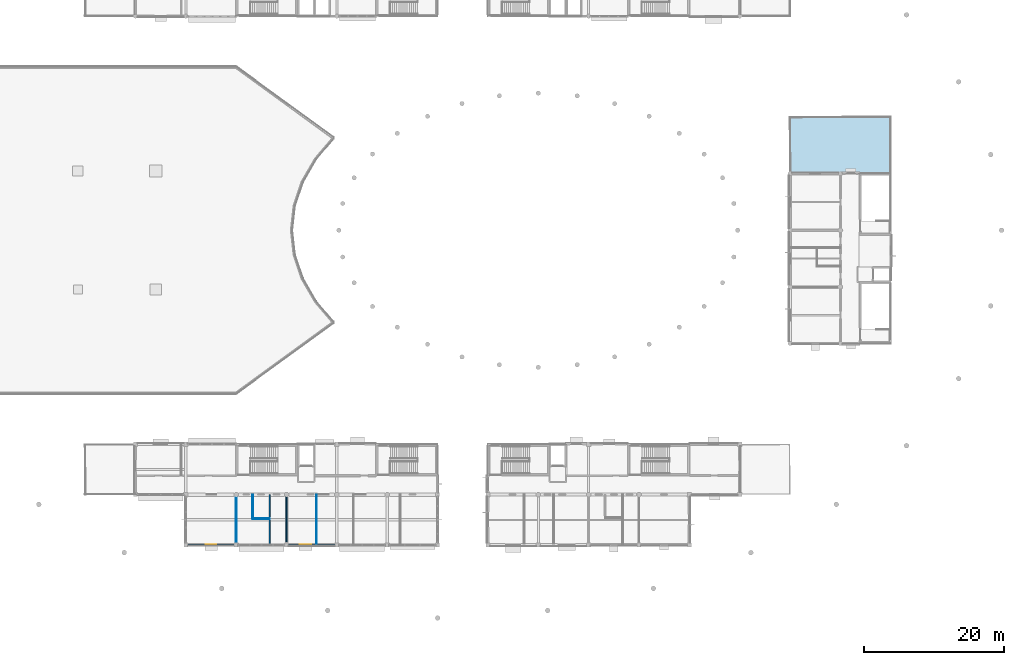
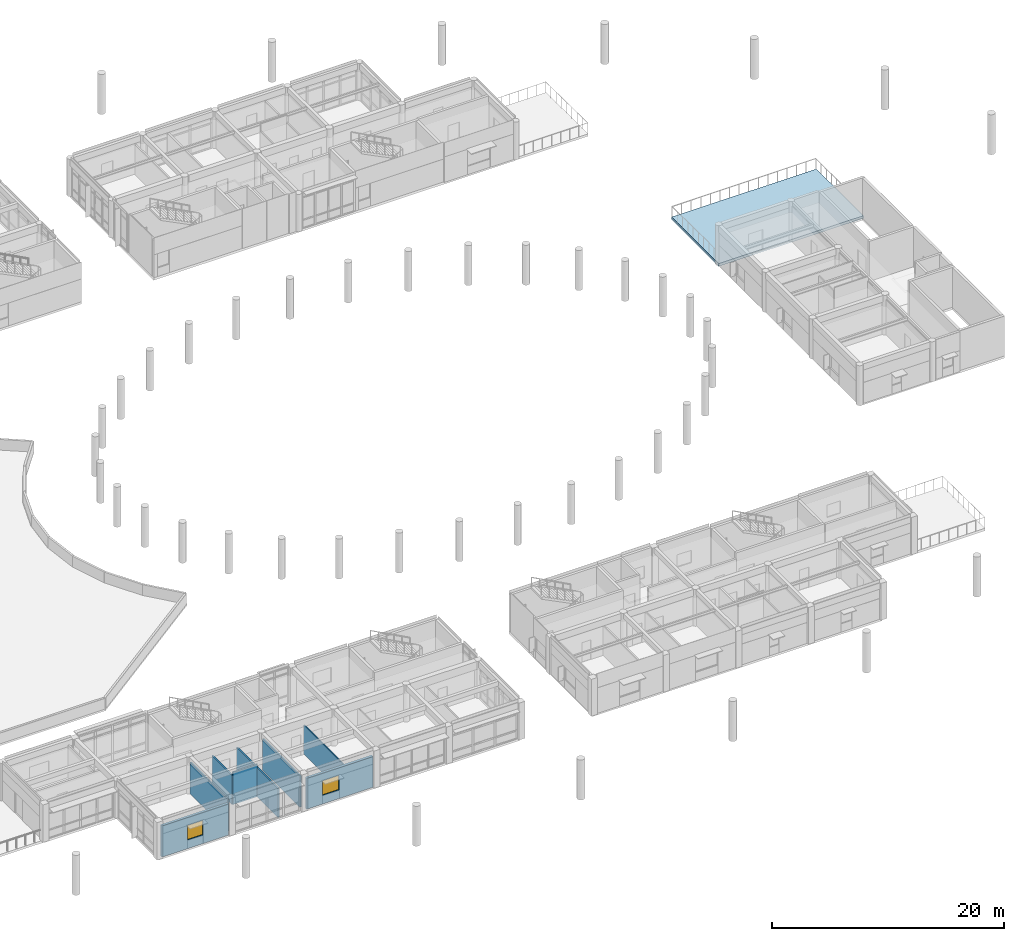
# One storey, part 21 of 55: 8 walls, 2 windows, 1 slab, 2 openings.
"""IFC4 building model written with IfcOpenShell, lengths in metres."""

from ifc_helpers import new_model, si_unit, direction, frame, frame_2d, origin, place, context, subcontext, project, spatial, polyline, rectangle, outline, extrude, material, layer, layer_set, type_object, element, fill, save


model = new_model("IFC4")

# Units and contexts
model_context = context("Model", 3, precision=1e-05, world=origin(), true_north=direction((0.0, 1.0)))
body_context = subcontext(model_context, "Body", "Model", "MODEL_VIEW")
ifc_project = project(units=[si_unit("LENGTHUNIT", "METRE"), si_unit("AREAUNIT", "SQUARE_METRE"), si_unit("VOLUMEUNIT", "CUBIC_METRE"), si_unit("PLANEANGLEUNIT", "RADIAN"), si_unit("MASSUNIT", "GRAM", prefix="KILO")], contexts=[model_context])

# Site, building, storey
site_placement = place(None, origin())
site = spatial("IfcSite", under=ifc_project, at=site_placement, CompositionType="ELEMENT")
building_placement = place(site_placement, origin())
building = spatial("IfcBuilding", under=site, at=building_placement, Name="Namkhue Oval Health Centre", CompositionType="ELEMENT")
storey_placement = place(building_placement, frame((0.0, 0.0, 9.60009765625)))
storey = spatial("IfcBuildingStorey", under=building, at=storey_placement, Name="L02", CompositionType="ELEMENT", Elevation=9.60009765625)

# Slab
ifc_material_1 = material(Name="Reinforced concrete C30/37 (TCVN B35)", Category="concrete")
ifc_layer_1 = layer(ifc_material_1, 0.281982421875)
ifc_layer_set_1 = layer_set([ifc_layer_1], Name="Reinforced concrete C30/37 (TCVN B35)")
slab_type = type_object("IfcSlabType", Name="EXTERIOR TERRACE SLAB 282", PredefinedType="FLOOR", material=ifc_layer_set_1)
slab_placement = place(storey_placement, frame((0.0, 0.0, -0.281982421875)))
element("IfcSlab", 1, at=slab_placement, inside=storey, type_object=slab_type, Name="Volume V6 L02 Exterior Roof Terrace Slab", PredefinedType="FLOOR", context=body_context, shape_type="SweptSolid", body=[
    extrude(outline(polyline([(136.800048828125, 67.5), (151.199951171875, 67.5), (151.199951171875, 75.60009765625), (136.800048828125, 75.60009765625), (136.800048828125, 67.5)])), origin(), (0.0, 0.0, 1.0), 0.281982421875),
])

# Wall, opening, window
ifc_material_2 = material(Name="Autoclaved aerated concrete blockwork M7.5", Category="masonry")
ifc_layer_2 = layer(ifc_material_2, 0.239990234375)
ifc_layer_set_2 = layer_set([ifc_layer_2], Name="Autoclaved aerated concrete blockwork M7.5")
wall_type_1 = type_object("IfcWallType", Name="EXTERIOR ENVELOPE WALL 240", PredefinedType="STANDARD", material=ifc_layer_set_2)
wall_1_placement = place(storey_placement, frame((50.696044921875, 14.39990234375, 0.0), z_axis=(0.0, 0.0, 1.0), x_axis=(1.0, 0.0, 0.0)))
wall_1 = element("IfcWall", 2, at=wall_1_placement, inside=storey, type_object=wall_type_1, Name="Volume V4 L02 Exterior Envelope Wall 103", PredefinedType="STANDARD", context=body_context, shape_type="SweptSolid", body=[
    extrude(rectangle(XDim=6.60791015625, YDim=0.239990234375, at=frame_2d((3.303955078125, 0.0))), origin(), (0.0, 0.0, 1.0), 3.2919921875),
])
opening_1_placement = place(wall_1_placement, frame((2.529052734375, 0.0, 0.89990234375)))
opening_1 = element("IfcOpeningElement", 3, at=opening_1_placement, cuts=wall_1, Name="Opening WN-25", PredefinedType="OPENING", context=body_context, shape_type="SweptSolid", body=[
    extrude(rectangle(XDim=1.550048828125, YDim=1.5400390625, at=frame_2d((0.77490234375, 0.77001953125))), frame((0.0, 0.1298828125, 0.0), z_axis=(0.0, -1.0, 0.0), x_axis=(1.0, 0.0, 0.0)), (0.0, 0.0, 1.0), 0.260009765625),
])
ifc_material_3 = material(Name="Thermally broken low-E laminated double glazing", Category="glass")
window_type_1 = type_object("IfcWindowType", Name="EXTERIOR WINDOW 1550X1540", PartitioningType="SINGLE_PANEL", PredefinedType="WINDOW", material=ifc_material_3)
window_1_placement = place(opening_1_placement, origin())
window_1 = element("IfcWindow", 4, at=window_1_placement, inside=storey, type_object=window_type_1, Name="Volume V4 L02 Exterior Window 70", OverallHeight=1.5400390625, OverallWidth=1.550048828125, PartitioningType="SINGLE_PANEL", PredefinedType="WINDOW", context=body_context, shape_type="SweptSolid", body=[
    extrude(rectangle(XDim=1.550048828125, YDim=1.5400390625, at=frame_2d((0.77490234375, 0.77001953125))), frame((0.0, 0.030029296875, 0.0), z_axis=(0.0, -1.0, 0.0), x_axis=(1.0, 0.0, 0.0)), (0.0, 0.0, 1.0), 0.06005859375),
])
fill(opening_1, window_1)

ifc_layer_3 = layer(ifc_material_2, 0.25)
ifc_layer_set_3 = layer_set([ifc_layer_3], Name="Autoclaved aerated concrete blockwork M7.5")
wall_type_2 = type_object("IfcWallType", Name="EXTERIOR ENVELOPE WALL 250", PredefinedType="STANDARD", material=ifc_layer_set_3)
wall_2_placement = place(storey_placement, frame((65.095947265625, 14.39990234375, 0.0), z_axis=(0.0, 0.0, 1.0), x_axis=(1.0, 0.0, 0.0)))
wall_2 = element("IfcWall", 5, at=wall_2_placement, inside=storey, type_object=wall_type_2, Name="Volume V4 L02 Exterior Envelope Wall 104", PredefinedType="STANDARD", context=body_context, shape_type="SweptSolid", body=[
    extrude(rectangle(XDim=6.608154296875, YDim=0.25, at=frame_2d((3.30419921875, 0.0))), origin(), (0.0, 0.0, 1.0), 3.25),
])
opening_2_placement = place(wall_2_placement, frame((1.5791015625, 0.0, 0.89990234375)))
opening_2 = element("IfcOpeningElement", 6, at=opening_2_placement, cuts=wall_2, Name="Opening WN-26", PredefinedType="OPENING", context=body_context, shape_type="SweptSolid", body=[
    extrude(rectangle(XDim=1.64990234375, YDim=1.5400390625, at=frame_2d((0.824951171875, 0.77001953125))), frame((0.0, 0.135009765625, 0.0), z_axis=(0.0, -1.0, 0.0), x_axis=(1.0, 0.0, 0.0)), (0.0, 0.0, 1.0), 0.27001953125),
])
window_type_2 = type_object("IfcWindowType", Name="EXTERIOR WINDOW 1650X1540", PartitioningType="SINGLE_PANEL", PredefinedType="WINDOW", material=ifc_material_3)
window_2_placement = place(opening_2_placement, origin())
window_2 = element("IfcWindow", 7, at=window_2_placement, inside=storey, type_object=window_type_2, Name="Volume V4 L02 Exterior Window 71", OverallHeight=1.5400390625, OverallWidth=1.64990234375, PartitioningType="SINGLE_PANEL", PredefinedType="WINDOW", context=body_context, shape_type="SweptSolid", body=[
    extrude(rectangle(XDim=1.64990234375, YDim=1.5400390625, at=frame_2d((0.824951171875, 0.77001953125))), frame((0.0, 0.030029296875, 0.0), z_axis=(0.0, -1.0, 0.0), x_axis=(1.0, 0.0, 0.0)), (0.0, 0.0, 1.0), 0.06005859375),
])
fill(opening_2, window_2)

# Walls
ifc_material_4 = material(Name="Gypsum plasterboard acoustic partition", Category="gypsum")
ifc_layer_4 = layer(ifc_material_4, 0.10009765625)
ifc_layer_set_4 = layer_set([ifc_layer_4], Name="Gypsum plasterboard acoustic partition")
wall_type_3 = type_object("IfcWallType", Name="INTERIOR PARTITION WALL 100", PredefinedType="PARTITIONING", material=ifc_layer_set_4)
wall_3_placement = place(storey_placement, frame((69.06494140625, 14.547119140625, 0.0), z_axis=(0.0, 0.0, 1.0), x_axis=(0.0, 1.0, 0.0)))
element("IfcWall", 8, at=wall_3_placement, inside=storey, type_object=wall_type_3, Name="Volume V4 L02 Clinical Partition Wall 190", PredefinedType="PARTITIONING", context=body_context, shape_type="SweptSolid", body=[
    extrude(rectangle(XDim=7.052978515625, YDim=0.10009765625, at=frame_2d((3.5263671875, 0.0))), origin(), (0.0, 0.0, 1.0), 3.0498046875),
])
ifc_layer_5 = layer(ifc_material_4, 0.1201171875)
ifc_layer_set_5 = layer_set([ifc_layer_5], Name="Gypsum plasterboard acoustic partition")
wall_type_4 = type_object("IfcWallType", Name="INTERIOR PARTITION WALL 120", PredefinedType="PARTITIONING", material=ifc_layer_set_5)
wall_4_placement = place(storey_placement, frame((57.60009765625, 14.82421875, 0.0), z_axis=(0.0, 0.0, 1.0), x_axis=(0.0, 1.0, 0.0)))
element("IfcWall", 9, at=wall_4_placement, inside=storey, type_object=wall_type_4, Name="Volume V4 L02 Clinical Partition Wall 185", PredefinedType="PARTITIONING", context=body_context, shape_type="SweptSolid", body=[
    extrude(rectangle(XDim=6.45068359375, YDim=0.1201171875, at=frame_2d((3.225341796875, 0.0))), origin(), (0.0, 0.0, 1.0), 3.341796875),
])
ifc_layer_6 = layer(ifc_material_4, 0.1298828125)
ifc_layer_set_6 = layer_set([ifc_layer_6], Name="Gypsum plasterboard acoustic partition")
wall_type_5 = type_object("IfcWallType", Name="INTERIOR PARTITION WALL 130", PredefinedType="PARTITIONING", material=ifc_layer_set_6)
wall_5_placement = place(storey_placement, frame((59.93994140625, 18.1201171875, 0.0), z_axis=(0.0, 0.0, 1.0), x_axis=(0.0, 1.0, 0.0)))
element("IfcWall", 10, at=wall_5_placement, inside=storey, type_object=wall_type_5, Name="Volume V4 L02 Clinical Partition Wall 186", PredefinedType="PARTITIONING", context=body_context, shape_type="SweptSolid", body=[
    extrude(rectangle(XDim=3.47998046875, YDim=0.1298828125, at=frame_2d((1.739990234375, 0.0))), origin(), (0.0, 0.0, 1.0), 3.0498046875),
])
ifc_layer_7 = layer(ifc_material_4, 0.139892578125)
ifc_layer_set_7 = layer_set([ifc_layer_7], Name="Gypsum plasterboard acoustic partition")
wall_type_6 = type_object("IfcWallType", Name="INTERIOR PARTITION WALL 140", PredefinedType="PARTITIONING", material=ifc_layer_set_7)
wall_6_placement = place(storey_placement, frame((59.93994140625, 18.1201171875, 0.0), z_axis=(0.0, 0.0, 1.0), x_axis=(1.0, 0.0, 0.0)))
element("IfcWall", 11, at=wall_6_placement, inside=storey, type_object=wall_type_6, Name="Volume V4 L02 Clinical Partition Wall 187", PredefinedType="PARTITIONING", context=body_context, shape_type="SweptSolid", body=[
    extrude(rectangle(XDim=2.4599609375, YDim=0.139892578125, at=frame_2d((1.22998046875, 0.0))), origin(), (0.0, 0.0, 1.0), 3.39990234375),
])
ifc_layer_8 = layer(ifc_material_4, 0.14990234375)
ifc_layer_set_8 = layer_set([ifc_layer_8], Name="Gypsum plasterboard acoustic partition")
wall_type_7 = type_object("IfcWallType", Name="INTERIOR PARTITION WALL 150", PredefinedType="PARTITIONING", material=ifc_layer_set_8)
wall_7_placement = place(storey_placement, frame((62.39990234375, 14.43994140625, 0.0), z_axis=(0.0, 0.0, 1.0), x_axis=(0.0, 1.0, 0.0)))
element("IfcWall", 12, at=wall_7_placement, inside=storey, type_object=wall_type_7, Name="Volume V4 L02 Clinical Partition Wall 188", PredefinedType="PARTITIONING", context=body_context, shape_type="SweptSolid", body=[
    extrude(rectangle(XDim=7.16015625, YDim=0.14990234375, at=frame_2d((3.580078125, 0.0))), origin(), (0.0, 0.0, 1.0), 3.0498046875),
])
ifc_layer_9 = layer(ifc_material_4, 0.159912109375)
ifc_layer_set_9 = layer_set([ifc_layer_9], Name="Gypsum plasterboard acoustic partition")
wall_type_8 = type_object("IfcWallType", Name="INTERIOR PARTITION WALL 160", PredefinedType="PARTITIONING", material=ifc_layer_set_9)
wall_8_placement = place(storey_placement, frame((64.800048828125, 14.82421875, 0.0), z_axis=(0.0, 0.0, 1.0), x_axis=(0.0, 1.0, 0.0)))
element("IfcWall", 13, at=wall_8_placement, inside=storey, type_object=wall_type_8, Name="Volume V4 L02 Clinical Partition Wall 189", PredefinedType="PARTITIONING", context=body_context, shape_type="SweptSolid", body=[
    extrude(rectangle(XDim=6.45068359375, YDim=0.159912109375, at=frame_2d((3.225341796875, 0.0))), origin(), (0.0, 0.0, 1.0), 3.2998046875),
])

save(model, "model.ifc")
